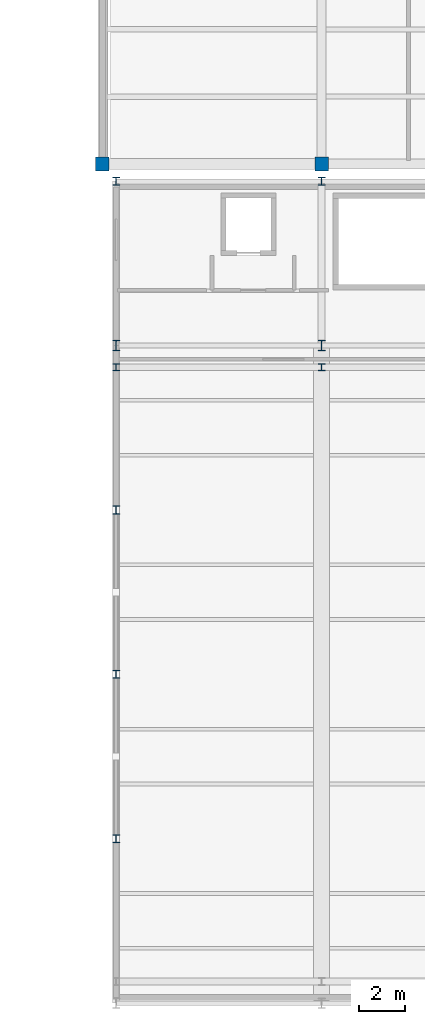
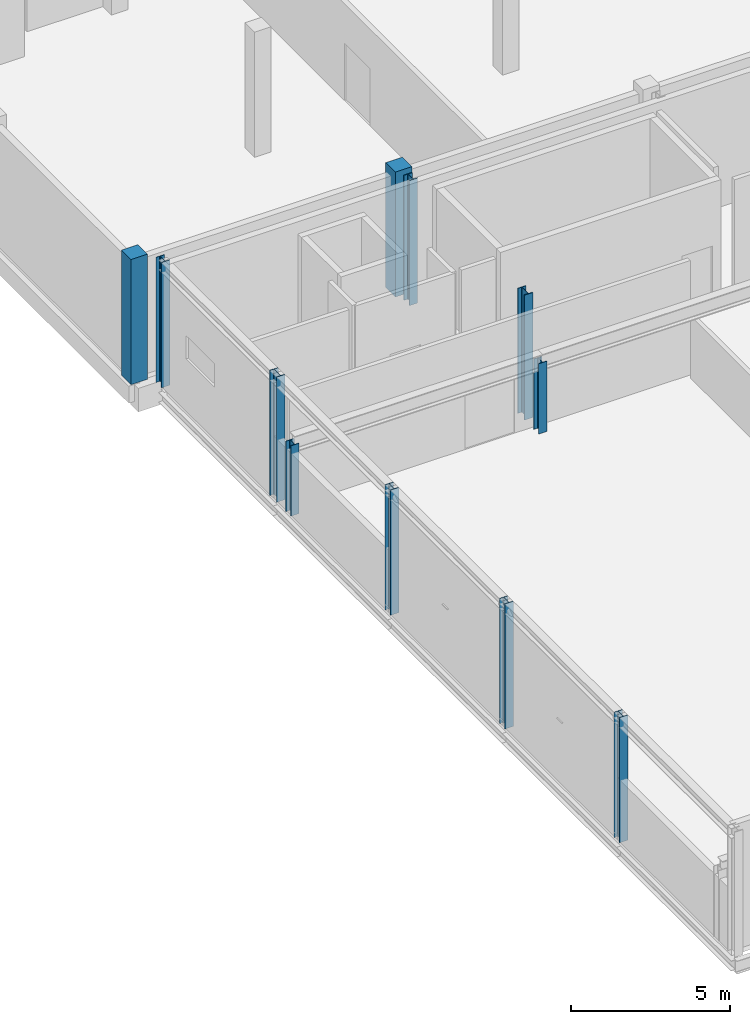
# One storey, part 4 of 177: 11 columns.
"""IFC4 building model written with IfcOpenShell, lengths in metres."""

from ifc_helpers import new_model, si_unit, direction, frame, origin, origin_2d, place, context, subcontext, project, spatial, rectangle, i_section, extrude, material, material_profile, profile_set, type_object, element, save


model = new_model("IFC4")

# Units and contexts
model_context = context("Model", 3, precision=1e-05, world=origin(), true_north=direction((0.0, 1.0)))
body_context = subcontext(model_context, "Body", "Model", "MODEL_VIEW")
ifc_project = project(units=[si_unit("LENGTHUNIT", "METRE"), si_unit("AREAUNIT", "SQUARE_METRE"), si_unit("VOLUMEUNIT", "CUBIC_METRE"), si_unit("PLANEANGLEUNIT", "RADIAN"), si_unit("MASSUNIT", "GRAM", prefix="KILO")], contexts=[model_context])

# Site, building, storey
site_placement = place(None, origin())
site = spatial("IfcSite", under=ifc_project, at=site_placement, CompositionType="ELEMENT")
building_placement = place(site_placement, origin())
building = spatial("IfcBuilding", under=site, at=building_placement, Name="Chiffa Square Polytechnic", CompositionType="ELEMENT")
storey_placement = place(building_placement, frame((0.0, 0.0, 4.800048828125)))
storey = spatial("IfcBuildingStorey", under=building, at=storey_placement, Name="L01", CompositionType="ELEMENT", Elevation=4.800048828125)

# Columns
ifc_material_1 = material(Name="Concrete C40/50", Category="concrete")
ifc_material_profile_1 = material_profile(ifc_material_1, rectangle(XDim=0.60009765625, YDim=0.60009765625, at=origin_2d()), Name="RC 600x600")
ifc_profile_set_1 = profile_set([ifc_material_profile_1], Name="Concrete C40/50")
column_type_1 = type_object("IfcColumnType", Name="COL-RC-600", PredefinedType="COLUMN", material=ifc_profile_set_1)
for number, where, z_axis, x_axis, name in (
    (1, (111.60009765625, 94.949951171875, 0.0), (0.0, 0.0, 1.0), (1.0, 0.0, 0.0), "Column C-V5-L01-1116-0950"),
    (2, (121.199951171875, 94.949951171875, 0.0), (0.0, 0.0, 1.0), (1.0, 0.0, 0.0), "Column C-V5-L01-1212-0950"),
):
    element("IfcColumn", number, at=place(storey_placement, frame(where, z_axis=z_axis, x_axis=x_axis)), inside=storey, type_object=column_type_1, Name=name, PredefinedType="COLUMN", context=body_context, shape_type="SweptSolid", body=[
        extrude(rectangle(XDim=0.60009765625, YDim=0.60009765625, at=origin_2d()), origin(), (0.0, 0.0, 1.0), 4.800048828125),
    ])
ifc_material_2 = material(Name="Steel S355", Category="steel")
ifc_material_profile_2 = material_profile(ifc_material_2, i_section(OverallWidth=0.300048828125, OverallDepth=0.320068359375, WebThickness=0.011474609375, FlangeThickness=0.0205078125, FilletRadius=0.027099609375, at=origin_2d()), Name="HEB 320")
ifc_profile_set_2 = profile_set([ifc_material_profile_2], Name="Steel S355")
column_type_2 = type_object("IfcColumnType", Name="COL-STL-HEB320", PredefinedType="COLUMN", material=ifc_profile_set_2)
for number, where, z_axis, x_axis, name in (
    (3, (112.199951171875, 86.050048828125, 0.0), (0.0, 0.0, 1.0), (1.0, 0.0, 0.0), "Crane stanchion upper post C-V2-CRN-L01-112-N"),
    (4, (121.199951171875, 86.050048828125, 0.0), (0.0, 0.0, 1.0), (1.0, 0.0, 0.0), "Crane stanchion upper post C-V2-CRN-L01-121-N"),
):
    element("IfcColumn", number, at=place(storey_placement, frame(where, z_axis=z_axis, x_axis=x_axis)), inside=storey, type_object=column_type_2, Name=name, PredefinedType="COLUMN", context=body_context, shape_type="SweptSolid", body=[
        extrude(i_section(OverallWidth=0.300048828125, OverallDepth=0.320068359375, WebThickness=0.011474609375, FlangeThickness=0.0205078125, FilletRadius=0.027099609375, at=origin_2d()), origin(), (0.0, 0.0, 1.0), 2.699951171875),
    ])
ifc_material_profile_3 = material_profile(ifc_material_2, i_section(OverallWidth=0.300048828125, OverallDepth=0.360107421875, WebThickness=0.012451171875, FlangeThickness=0.0224609375, FilletRadius=0.027099609375, at=origin_2d()), Name="HEB 360")
ifc_profile_set_3 = profile_set([ifc_material_profile_3], Name="Steel S355")
column_type_3 = type_object("IfcColumnType", Name="COL-STL-HEB360", PredefinedType="COLUMN", material=ifc_profile_set_3)
for number, where, z_axis, x_axis, name in (
    (5, (112.199951171875, 65.39990234375, 0.0), (0.0, 0.0, 1.0), (1.0, 0.0, 0.0), "Column C-V2-L01-1122-0654"),
    (6, (112.199951171875, 72.60009765625, 0.0), (0.0, 0.0, 1.0), (1.0, 0.0, 0.0), "Column C-V2-L01-1122-0726"),
    (7, (112.199951171875, 79.800048828125, 0.0), (0.0, 0.0, 1.0), (1.0, 0.0, 0.0), "Column C-V2-L01-1122-0798"),
    (8, (112.199951171875, 94.199951171875, 0.0), (0.0, 0.0, 1.0), (1.0, 0.0, 0.0), "Column C-V2-L01-1122-0942"),
    (9, (121.199951171875, 94.199951171875, 0.0), (0.0, 0.0, 1.0), (1.0, 0.0, 0.0), "Column C-V2-L01-1212-0942"),
):
    element("IfcColumn", number, at=place(storey_placement, frame(where, z_axis=z_axis, x_axis=x_axis)), inside=storey, type_object=column_type_3, Name=name, PredefinedType="COLUMN", context=body_context, shape_type="SweptSolid", body=[
        extrude(i_section(OverallWidth=0.300048828125, OverallDepth=0.360107421875, WebThickness=0.012451171875, FlangeThickness=0.0224609375, FilletRadius=0.027099609375, at=origin_2d()), origin(), (0.0, 0.0, 1.0), 4.800048828125),
    ])
ifc_material_profile_4 = material_profile(ifc_material_2, i_section(OverallWidth=0.300048828125, OverallDepth=0.449951171875, WebThickness=0.013916015625, FlangeThickness=0.02587890625, FilletRadius=0.027099609375, at=origin_2d()), Name="HEB 450")
ifc_profile_set_4 = profile_set([ifc_material_profile_4], Name="Steel S355")
column_type_4 = type_object("IfcColumnType", Name="COL-STL-HEB450", PredefinedType="COLUMN", material=ifc_profile_set_4)
for number, where, z_axis, x_axis, name in (
    (10, (112.199951171875, 87.0, 0.0), (0.0, 0.0, 1.0), (1.0, 0.0, 0.0), "Column C-V2-L01-1122-0870"),
    (11, (121.199951171875, 87.0, 0.0), (0.0, 0.0, 1.0), (1.0, 0.0, 0.0), "Column C-V2-L01-1212-0870"),
):
    element("IfcColumn", number, at=place(storey_placement, frame(where, z_axis=z_axis, x_axis=x_axis)), inside=storey, type_object=column_type_4, Name=name, PredefinedType="COLUMN", context=body_context, shape_type="SweptSolid", body=[
        extrude(i_section(OverallWidth=0.300048828125, OverallDepth=0.449951171875, WebThickness=0.013916015625, FlangeThickness=0.02587890625, FilletRadius=0.027099609375, at=origin_2d()), origin(), (0.0, 0.0, 1.0), 4.800048828125),
    ])

save(model, "model.ifc")
